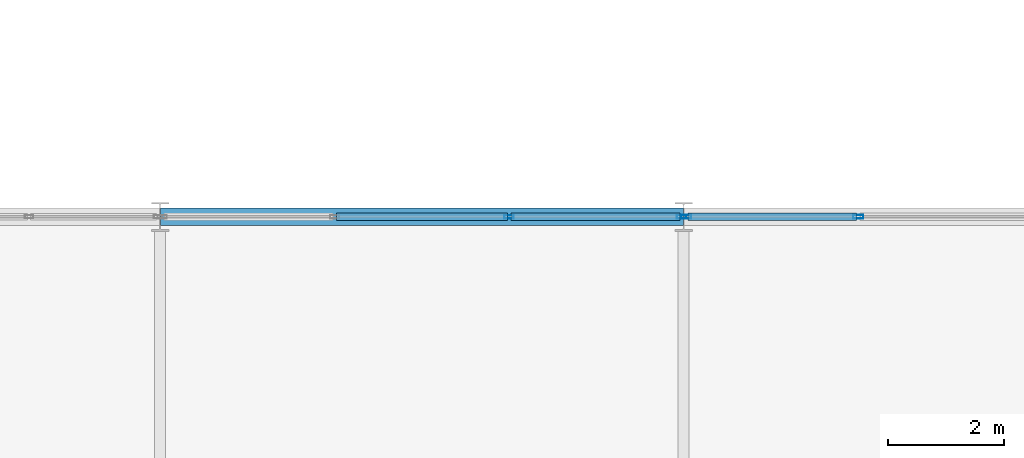
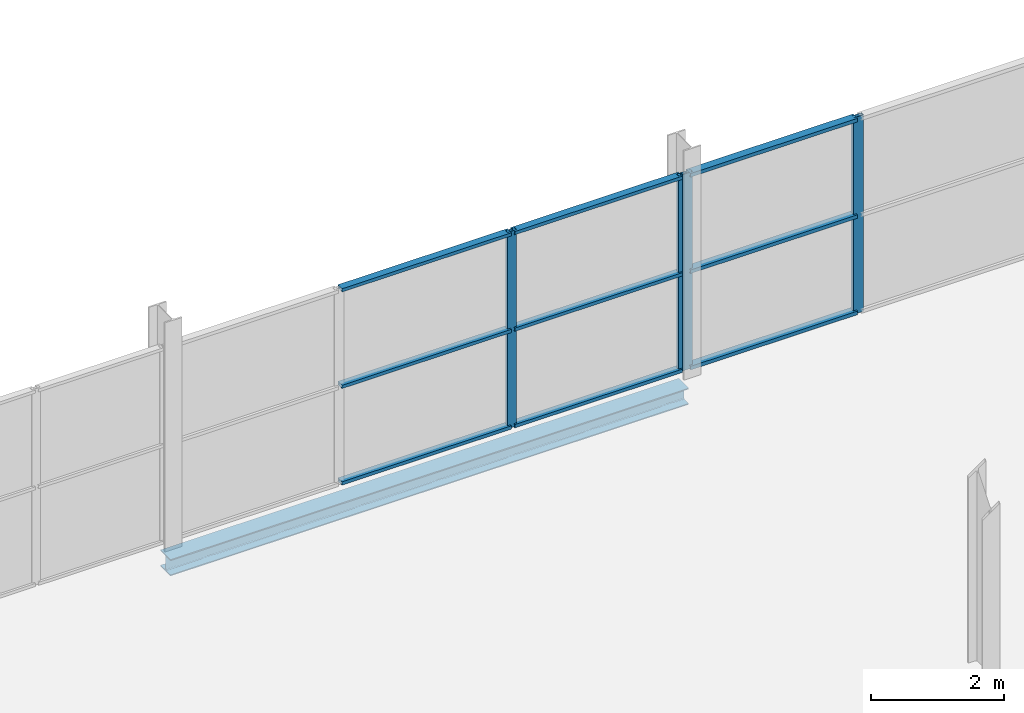
# One storey, part 66 of 132: 13 members, 1 beam, 2 elements without a shape of their own.
"""IFC4 building model written with IfcOpenShell, lengths in metres."""

from ifc_helpers import new_model, si_unit, direction, frame, origin, origin_2d, place, context, subcontext, project, spatial, hollow_rectangle, i_section, extrude, material, layer, layer_set, material_profile, profile_set, type_object, element, aggregate, save


model = new_model("IFC4")

# Units and contexts
model_context = context("Model", 3, precision=1e-05, world=origin(), true_north=direction((0.0, 1.0)))
body_context = subcontext(model_context, "Body", "Model", "MODEL_VIEW")
ifc_project = project(units=[si_unit("LENGTHUNIT", "METRE"), si_unit("AREAUNIT", "SQUARE_METRE"), si_unit("VOLUMEUNIT", "CUBIC_METRE"), si_unit("PLANEANGLEUNIT", "RADIAN"), si_unit("MASSUNIT", "GRAM", prefix="KILO")], contexts=[model_context])

# Site, building, storey
site_placement = place(None, origin())
site = spatial("IfcSite", under=ifc_project, at=site_placement, CompositionType="ELEMENT")
building_placement = place(site_placement, origin())
building = spatial("IfcBuilding", under=site, at=building_placement, Name="Deido Ridge Mobility Hub", CompositionType="ELEMENT")
storey_placement = place(building_placement, frame((0.0, 0.0, 8.39990234375)))
storey = spatial("IfcBuildingStorey", under=building, at=storey_placement, Name="L02", CompositionType="ELEMENT", Elevation=8.39990234375)

# Curtain wall, members
ifc_material_1 = material(Name="Anodised aluminium EN AW-6063 T6", Category="aluminium")
ifc_layer_1 = layer(ifc_material_1, 0.14404296875, Name="Anodised aluminium EN AW-6063 T6")
ifc_layer_set_1 = layer_set([ifc_layer_1], Name="Anodised aluminium EN AW-6063 T6")
curtain_wall_type_1 = type_object("IfcCurtainWallType", Name="CW-GS-2", PredefinedType="USERDEFINED", material=ifc_layer_set_1)
curtain_wall_1_placement = place(storey_placement, origin())
curtain_wall_1 = element("IfcCurtainWall", 1, at=curtain_wall_1_placement, inside=storey, type_object=curtain_wall_type_1, Name="Unitised curtain wall GS2", ObjectType="GLAZED SCREEN", PredefinedType="USERDEFINED")
ifc_material_profile_1 = material_profile(ifc_material_1, hollow_rectangle(XDim=0.06005859375, YDim=0.159912109375, WallThickness=0.00390625, at=origin_2d()), Name="RHS 60x160x4")
ifc_profile_set_1 = profile_set([ifc_material_profile_1], Name="Anodised aluminium EN AW-6063 T6")
member_type_1 = type_object("IfcMemberType", Name="MEM-MUL-60X160", PredefinedType="MULLION", material=ifc_profile_set_1)
member_1_placement = place(storey_placement, frame((14.99755859375, 81.0, 0.0), z_axis=(0.0, 0.0, 1.0), x_axis=(0.0, 1.0, 0.0)))
member_1 = element("IfcMember", 2, at=member_1_placement, type_object=member_type_1, Name="GS2 mullion 3", PredefinedType="MULLION", context=body_context, shape_type="SweptSolid", body=[
    extrude(hollow_rectangle(XDim=0.06005859375, YDim=0.159912109375, WallThickness=0.00390625, at=origin_2d()), origin(), (0.0, 0.0, 1.0), 3.60009765625),
])
member_2_placement = place(storey_placement, frame((17.962890625, 81.0, 0.0), z_axis=(0.0, 0.0, 1.0), x_axis=(0.0, 1.0, 0.0)))
member_2 = element("IfcMember", 3, at=member_2_placement, type_object=member_type_1, Name="GS2 mullion 4", PredefinedType="MULLION", context=body_context, shape_type="SweptSolid", body=[
    extrude(hollow_rectangle(XDim=0.06005859375, YDim=0.159912109375, WallThickness=0.00390625, at=origin_2d()), origin(), (0.0, 0.0, 1.0), 3.60009765625),
])

ifc_layer_2 = layer(ifc_material_1, 0.156005859375, Name="Anodised aluminium EN AW-6063 T6")
ifc_layer_set_2 = layer_set([ifc_layer_2], Name="Anodised aluminium EN AW-6063 T6")
curtain_wall_type_2 = type_object("IfcCurtainWallType", Name="CW-GS-3", PredefinedType="USERDEFINED", material=ifc_layer_set_2)
curtain_wall_2_placement = place(storey_placement, origin())
curtain_wall_2 = element("IfcCurtainWall", 4, at=curtain_wall_2_placement, inside=storey, type_object=curtain_wall_type_2, Name="Unitised curtain wall GS3", ObjectType="GLAZED SCREEN", PredefinedType="USERDEFINED")
ifc_material_profile_2 = material_profile(ifc_material_1, hollow_rectangle(XDim=0.06494140625, YDim=0.175048828125, WallThickness=0.00390625, at=origin_2d()), Name="RHS 65x175x4")
ifc_profile_set_2 = profile_set([ifc_material_profile_2], Name="Anodised aluminium EN AW-6063 T6")
member_type_2 = type_object("IfcMemberType", Name="MEM-MUL-65X175", PredefinedType="MULLION", material=ifc_profile_set_2)
member_3_placement = place(storey_placement, frame((18.039794921875, 81.0, 0.0), z_axis=(0.0, 0.0, 1.0), x_axis=(0.0, 1.0, 0.0)))
member_3 = element("IfcMember", 5, at=member_3_placement, type_object=member_type_2, Name="GS3 mullion 1", PredefinedType="MULLION", context=body_context, shape_type="SweptSolid", body=[
    extrude(hollow_rectangle(XDim=0.06494140625, YDim=0.175048828125, WallThickness=0.00390625, at=origin_2d()), origin(), (0.0, 0.0, 1.0), 3.60009765625),
])
member_4_placement = place(storey_placement, frame((21.00244140625, 81.0, 0.0), z_axis=(0.0, 0.0, 1.0), x_axis=(0.0, 1.0, 0.0)))
member_4 = element("IfcMember", 6, at=member_4_placement, type_object=member_type_2, Name="GS3 mullion 2", PredefinedType="MULLION", context=body_context, shape_type="SweptSolid", body=[
    extrude(hollow_rectangle(XDim=0.06494140625, YDim=0.175048828125, WallThickness=0.00390625, at=origin_2d()), origin(), (0.0, 0.0, 1.0), 3.60009765625),
])

# Member
ifc_material_profile_3 = material_profile(ifc_material_1, hollow_rectangle(XDim=0.125, YDim=0.06005859375, WallThickness=0.00390625, at=origin_2d()), Name="RHS 125x60x4")
ifc_profile_set_3 = profile_set([ifc_material_profile_3], Name="Anodised aluminium EN AW-6063 T6")
member_type_3 = type_object("IfcMemberType", Name="MEM-TRN-125X60", PredefinedType="USERDEFINED", material=ifc_profile_set_3)
member_5_placement = place(storey_placement, frame((12.032470703125, 81.0, 0.030029296875), z_axis=(1.0, 0.0, 0.0), x_axis=(0.0, 1.0, 0.0)))
member_5 = element("IfcMember", 7, at=member_5_placement, type_object=member_type_3, Name="GS2 transom 2.1", ObjectType="TRANSOM", PredefinedType="USERDEFINED", context=body_context, shape_type="SweptSolid", body=[
    extrude(hollow_rectangle(XDim=0.125, YDim=0.06005859375, WallThickness=0.00390625, at=origin_2d()), origin(), (0.0, 0.0, 1.0), 2.93505859375),
])

member_6_placement = place(storey_placement, frame((12.032470703125, 81.0, 1.800048828125), z_axis=(1.0, 0.0, 0.0), x_axis=(0.0, 1.0, 0.0)))
member_6 = element("IfcMember", 8, at=member_6_placement, type_object=member_type_3, Name="GS2 transom 2.2", ObjectType="TRANSOM", PredefinedType="USERDEFINED", context=body_context, shape_type="SweptSolid", body=[
    extrude(hollow_rectangle(XDim=0.125, YDim=0.06005859375, WallThickness=0.00390625, at=origin_2d()), origin(), (0.0, 0.0, 1.0), 2.93505859375),
])

member_7_placement = place(storey_placement, frame((12.032470703125, 81.0, 3.570068359375), z_axis=(1.0, 0.0, 0.0), x_axis=(0.0, 1.0, 0.0)))
member_7 = element("IfcMember", 9, at=member_7_placement, type_object=member_type_3, Name="GS2 transom 2.3", ObjectType="TRANSOM", PredefinedType="USERDEFINED", context=body_context, shape_type="SweptSolid", body=[
    extrude(hollow_rectangle(XDim=0.125, YDim=0.06005859375, WallThickness=0.00390625, at=origin_2d()), origin(), (0.0, 0.0, 1.0), 2.93505859375),
])

member_8_placement = place(storey_placement, frame((15.027587890625, 81.0, 0.030029296875), z_axis=(1.0, 0.0, 0.0), x_axis=(0.0, 1.0, 0.0)))
member_8 = element("IfcMember", 10, at=member_8_placement, type_object=member_type_3, Name="GS2 transom 3.1", ObjectType="TRANSOM", PredefinedType="USERDEFINED", context=body_context, shape_type="SweptSolid", body=[
    extrude(hollow_rectangle(XDim=0.125, YDim=0.06005859375, WallThickness=0.00390625, at=origin_2d()), origin(), (0.0, 0.0, 1.0), 2.9052734375),
])

member_9_placement = place(storey_placement, frame((15.027587890625, 81.0, 1.800048828125), z_axis=(1.0, 0.0, 0.0), x_axis=(0.0, 1.0, 0.0)))
member_9 = element("IfcMember", 11, at=member_9_placement, type_object=member_type_3, Name="GS2 transom 3.2", ObjectType="TRANSOM", PredefinedType="USERDEFINED", context=body_context, shape_type="SweptSolid", body=[
    extrude(hollow_rectangle(XDim=0.125, YDim=0.06005859375, WallThickness=0.00390625, at=origin_2d()), origin(), (0.0, 0.0, 1.0), 2.9052734375),
])

member_10_placement = place(storey_placement, frame((15.027587890625, 81.0, 3.570068359375), z_axis=(1.0, 0.0, 0.0), x_axis=(0.0, 1.0, 0.0)))
member_10 = element("IfcMember", 12, at=member_10_placement, type_object=member_type_3, Name="GS2 transom 3.3", ObjectType="TRANSOM", PredefinedType="USERDEFINED", context=body_context, shape_type="SweptSolid", body=[
    extrude(hollow_rectangle(XDim=0.125, YDim=0.06005859375, WallThickness=0.00390625, at=origin_2d()), origin(), (0.0, 0.0, 1.0), 2.9052734375),
])

aggregate(curtain_wall_1, [member_1, member_2, member_5, member_6, member_7, member_8, member_9, member_10])

ifc_material_profile_4 = material_profile(ifc_material_1, hollow_rectangle(XDim=0.135009765625, YDim=0.06494140625, WallThickness=0.00390625, at=origin_2d()), Name="RHS 135x65x4")
ifc_profile_set_4 = profile_set([ifc_material_profile_4], Name="Anodised aluminium EN AW-6063 T6")
member_type_4 = type_object("IfcMemberType", Name="MEM-TRN-135X65", PredefinedType="USERDEFINED", material=ifc_profile_set_4)
member_11_placement = place(storey_placement, frame((18.072265625, 81.0, 0.03271484375), z_axis=(1.0, 0.0, 0.0), x_axis=(0.0, 1.0, 0.0)))
member_11 = element("IfcMember", 13, at=member_11_placement, type_object=member_type_4, Name="GS3 transom 1.1", ObjectType="TRANSOM", PredefinedType="USERDEFINED", context=body_context, shape_type="SweptSolid", body=[
    extrude(hollow_rectangle(XDim=0.135009765625, YDim=0.06494140625, WallThickness=0.00390625, at=origin_2d()), origin(), (0.0, 0.0, 1.0), 2.897705078125),
])

member_12_placement = place(storey_placement, frame((18.072265625, 81.0, 1.800048828125), z_axis=(1.0, 0.0, 0.0), x_axis=(0.0, 1.0, 0.0)))
member_12 = element("IfcMember", 14, at=member_12_placement, type_object=member_type_4, Name="GS3 transom 1.2", ObjectType="TRANSOM", PredefinedType="USERDEFINED", context=body_context, shape_type="SweptSolid", body=[
    extrude(hollow_rectangle(XDim=0.135009765625, YDim=0.06494140625, WallThickness=0.00390625, at=origin_2d()), origin(), (0.0, 0.0, 1.0), 2.897705078125),
])

member_13_placement = place(storey_placement, frame((18.072265625, 81.0, 3.567626953125), z_axis=(1.0, 0.0, 0.0), x_axis=(0.0, 1.0, 0.0)))
member_13 = element("IfcMember", 15, at=member_13_placement, type_object=member_type_4, Name="GS3 transom 1.3", ObjectType="TRANSOM", PredefinedType="USERDEFINED", context=body_context, shape_type="SweptSolid", body=[
    extrude(hollow_rectangle(XDim=0.135009765625, YDim=0.06494140625, WallThickness=0.00390625, at=origin_2d()), origin(), (0.0, 0.0, 1.0), 2.897705078125),
])

aggregate(curtain_wall_2, [member_3, member_4, member_11, member_12, member_13])

# Beam
ifc_material_2 = material(Name="Steel S355J2 EN 10025-2", Category="steel")
ifc_material_profile_5 = material_profile(ifc_material_2, i_section(OverallWidth=0.300048828125, OverallDepth=0.300048828125, WebThickness=0.010986328125, FlangeThickness=0.01904296875, FilletRadius=0.027099609375, at=origin_2d()), Name="HEB 300")
ifc_profile_set_5 = profile_set([ifc_material_profile_5], Name="Steel S355J2 EN 10025-2")
beam_type = type_object("IfcBeamType", Name="SPD-HEB300", PredefinedType="SPANDREL", material=ifc_profile_set_5)
beam_placement = place(storey_placement, frame((9.00732421875, 81.0, -0.40478515625), z_axis=(1.0, 0.0, 0.0), x_axis=(0.0, 1.0, 0.0)))
element("IfcBeam", 16, at=beam_placement, inside=storey, type_object=beam_type, Name="Floor beam SP1", PredefinedType="SPANDREL", context=body_context, shape_type="SweptSolid", body=[
    extrude(i_section(OverallWidth=0.300048828125, OverallDepth=0.300048828125, WebThickness=0.010986328125, FlangeThickness=0.01904296875, FilletRadius=0.027099609375, at=origin_2d()), origin(), (0.0, 0.0, 1.0), 8.985595703125),
])

save(model, "model.ifc")
